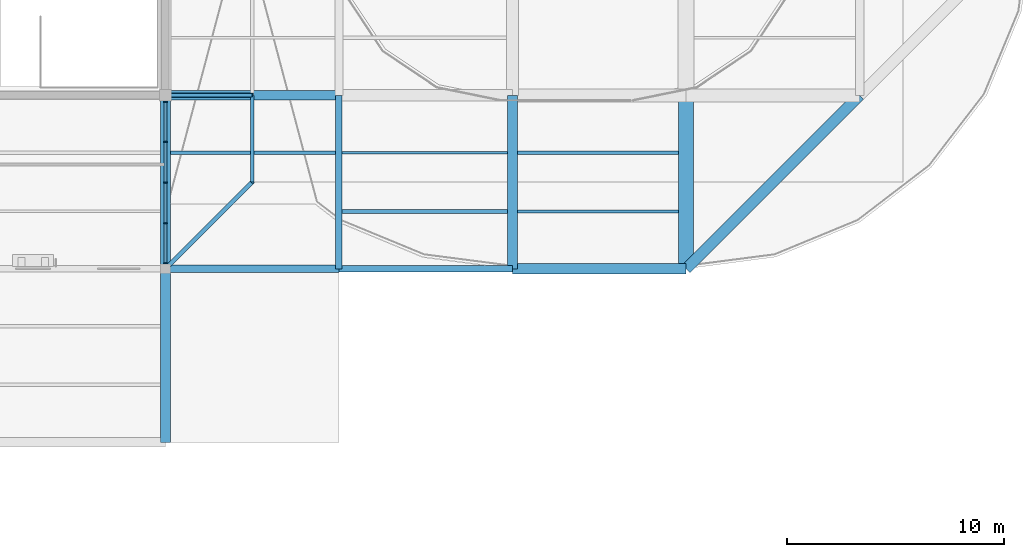
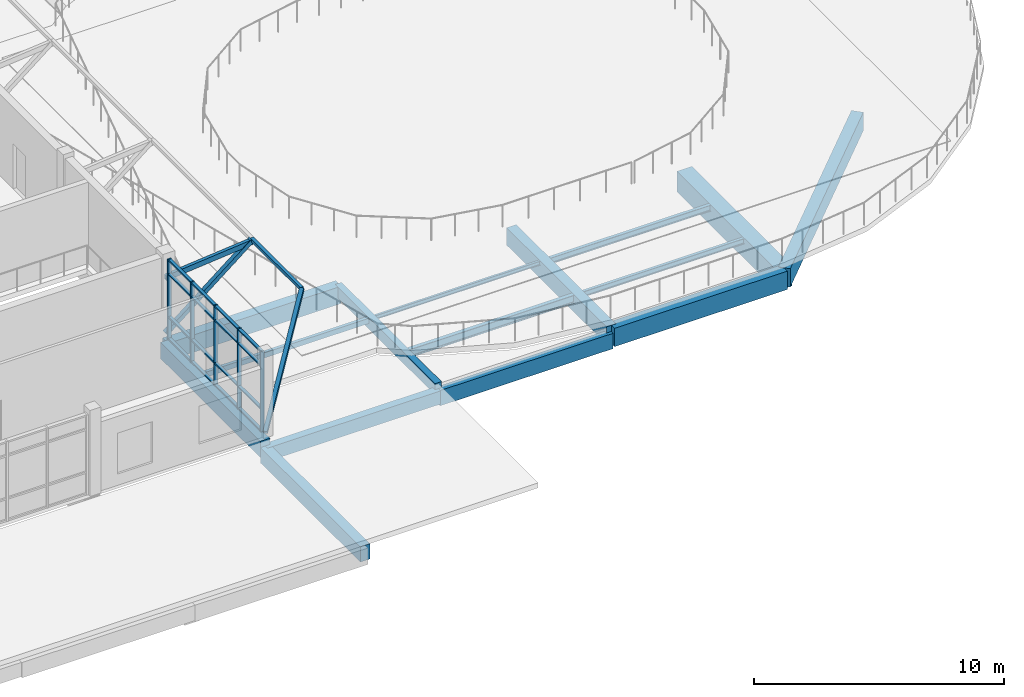
# One storey, part 14 of 44: 24 members, 16 beams, 1 element without a shape of its own.
"""IFC4 building model written with IfcOpenShell, lengths in metres."""

from ifc_helpers import new_model, si_unit, direction, frame, origin, origin_2d, place, context, subcontext, project, spatial, rectangle, hollow_rectangle, i_section, extrude, material, material_profile, profile_set, type_object, element, aggregate, save


model = new_model("IFC4")

# Units and contexts
model_context = context("Model", 3, precision=1e-05, world=origin(), true_north=direction((0.0, 1.0)))
body_context = subcontext(model_context, "Body", "Model", "MODEL_VIEW")
ifc_project = project(units=[si_unit("LENGTHUNIT", "METRE"), si_unit("AREAUNIT", "SQUARE_METRE"), si_unit("VOLUMEUNIT", "CUBIC_METRE"), si_unit("PLANEANGLEUNIT", "RADIAN"), si_unit("MASSUNIT", "GRAM", prefix="KILO")], contexts=[model_context])

# Site, building, storey
site_placement = place(None, origin())
site = spatial("IfcSite", under=ifc_project, at=site_placement, CompositionType="ELEMENT")
building_placement = place(site_placement, origin())
building = spatial("IfcBuilding", under=site, at=building_placement, Name="Tenunan Teduh Sports Hall", CompositionType="ELEMENT")
storey_placement = place(building_placement, frame((0.0, 0.0, 19.199951171875)))
storey = spatial("IfcBuildingStorey", under=building, at=storey_placement, Name="L04", CompositionType="ELEMENT", Elevation=19.199951171875)

# Beams
ifc_material_1 = material(Name="Concrete C40/50", Category="concrete")
ifc_material_profile_1 = material_profile(ifc_material_1, rectangle(XDim=0.300048828125, YDim=0.550048828125, at=origin_2d()), Name="RCB 300x550")
ifc_profile_set_1 = profile_set([ifc_material_profile_1], Name="Concrete C40/50")
beam_type_1 = type_object("IfcBeamType", Name="BM-RC-300x550", PredefinedType="BEAM", material=ifc_profile_set_1)
beam_1_placement = place(storey_placement, frame((46.0, 86.0, -0.544921875), z_axis=(0.0, 1.0, 0.0), x_axis=(-1.0, 0.0, 0.0)))
element("IfcBeam", 1, at=beam_1_placement, inside=storey, type_object=beam_type_1, Name="BM-B-02-L04-2092", PredefinedType="BEAM", context=body_context, shape_type="SweptSolid", body=[
    extrude(rectangle(XDim=0.300048828125, YDim=0.550048828125, at=origin_2d()), origin(), (0.0, 0.0, 1.0), 8.0),
])
ifc_material_2 = material(Name="Concrete C40/50", Category="concrete")
ifc_material_profile_2 = material_profile(ifc_material_2, rectangle(XDim=0.35009765625, YDim=0.64990234375, at=origin_2d()), Name="RCB 350x650")
ifc_profile_set_2 = profile_set([ifc_material_profile_2], Name="Concrete C40/50")
beam_type_2 = type_object("IfcBeamType", Name="BM-RC-350x650", PredefinedType="BEAM", material=ifc_profile_set_2)
beam_2_placement = place(storey_placement, frame((38.0, 86.0, -0.89501953125), z_axis=(1.0, 0.0, 0.0), x_axis=(0.0, 1.0, 0.0)))
element("IfcBeam", 2, at=beam_2_placement, inside=storey, type_object=beam_type_2, Name="BM-B-05-L04-2030", PredefinedType="BEAM", context=body_context, shape_type="SweptSolid", body=[
    extrude(rectangle(XDim=0.35009765625, YDim=0.64990234375, at=origin_2d()), origin(), (0.0, 0.0, 1.0), 8.0),
])
ifc_material_3 = material(Name="Concrete C40/50", Category="concrete")
ifc_material_profile_3 = material_profile(ifc_material_3, rectangle(XDim=0.449951171875, YDim=0.75, at=origin_2d()), Name="RCB 450x750")
ifc_profile_set_3 = profile_set([ifc_material_profile_3], Name="Concrete C40/50")
beam_type_3 = type_object("IfcBeamType", Name="BM-RC-450x750", PredefinedType="BEAM", material=ifc_profile_set_3)
beam_3_placement = place(storey_placement, frame((38.0, 78.0, -0.945068359375), z_axis=(0.0, 1.0, 0.0), x_axis=(-1.0, 0.0, 0.0)))
element("IfcBeam", 3, at=beam_3_placement, inside=storey, type_object=beam_type_3, Name="BM-B-11-L04-2087", PredefinedType="BEAM", context=body_context, shape_type="SweptSolid", body=[
    extrude(rectangle(XDim=0.449951171875, YDim=0.75, at=origin_2d()), origin(), (0.0, 0.0, 1.0), 8.0),
])
ifc_material_4 = material(Name="Concrete C40/50", Category="concrete")
ifc_material_profile_4 = material_profile(ifc_material_4, rectangle(XDim=0.449951171875, YDim=0.800048828125, at=origin_2d()), Name="RCB 450x800")
ifc_profile_set_4 = profile_set([ifc_material_profile_4], Name="Concrete C40/50")
beam_type_4 = type_object("IfcBeamType", Name="BM-RC-450x800", PredefinedType="BEAM", material=ifc_profile_set_4)
beam_4_placement = place(storey_placement, frame((38.0, 86.0, -0.669921875), z_axis=(0.0, 1.0, 0.0), x_axis=(-1.0, 0.0, 0.0)))
element("IfcBeam", 4, at=beam_4_placement, inside=storey, type_object=beam_type_4, Name="BM-B-12-L04-2088", PredefinedType="BEAM", context=body_context, shape_type="SweptSolid", body=[
    extrude(rectangle(XDim=0.449951171875, YDim=0.800048828125, at=origin_2d()), origin(), (0.0, 0.0, 1.0), 8.0),
])
ifc_material_5 = material(Name="Concrete C40/50", Category="concrete")
ifc_material_profile_5 = material_profile(ifc_material_5, rectangle(XDim=0.449951171875, YDim=0.85009765625, at=origin_2d()), Name="RCB 450x850")
ifc_profile_set_5 = profile_set([ifc_material_profile_5], Name="Concrete C40/50")
beam_type_5 = type_object("IfcBeamType", Name="BM-RC-450x850", PredefinedType="BEAM", material=ifc_profile_set_5)
for number, where, z_axis, x_axis, name in (
    (5, (38.0, 94.0, -0.695068359375), (1.0, 0.0, 0.0), (0.0, 1.0, 0.0), "BM-B-13-L04-2037"),
    (6, (54.0, 86.0, -0.695068359375), (0.0, 1.0, 0.0), (-1.0, 0.0, 0.0), "BM-B-13-L04-2100"),
):
    element("IfcBeam", number, at=place(storey_placement, frame(where, z_axis=z_axis, x_axis=x_axis)), inside=storey, type_object=beam_type_5, Name=name, PredefinedType="BEAM", context=body_context, shape_type="SweptSolid", body=[
        extrude(rectangle(XDim=0.449951171875, YDim=0.85009765625, at=origin_2d()), origin(), (0.0, 0.0, 1.0), 8.0),
    ])
ifc_material_6 = material(Name="Concrete C40/50", Category="concrete")
ifc_material_profile_6 = material_profile(ifc_material_6, rectangle(XDim=0.5, YDim=0.89990234375, at=origin_2d()), Name="RCB 500x900")
ifc_profile_set_6 = profile_set([ifc_material_profile_6], Name="Concrete C40/50")
beam_type_6 = type_object("IfcBeamType", Name="BM-RC-500x900", PredefinedType="BEAM", material=ifc_profile_set_6)
beam_5_placement = place(storey_placement, frame((62.0, 86.0, -0.7099609375), z_axis=(0.707106781187, 0.707106781187, 0.0), x_axis=(-0.707106781187, 0.707106781187, 0.0)))
element("IfcBeam", 7, at=beam_5_placement, inside=storey, type_object=beam_type_6, Name="BM-B-15-L04-0606", PredefinedType="BEAM", context=body_context, shape_type="SweptSolid", body=[
    extrude(rectangle(XDim=0.5, YDim=0.89990234375, at=origin_2d()), origin(), (0.0, 0.0, 1.0), 11.313720703125),
])
beam_6_placement = place(storey_placement, frame((54.0, 86.0, -0.719970703125), z_axis=(1.0, 0.0, 0.0), x_axis=(0.0, 1.0, 0.0)))
element("IfcBeam", 8, at=beam_6_placement, inside=storey, type_object=beam_type_6, Name="BM-B-15-L04-2032", PredefinedType="BEAM", context=body_context, shape_type="SweptSolid", body=[
    extrude(rectangle(XDim=0.5, YDim=0.89990234375, at=origin_2d()), origin(), (0.0, 0.0, 1.0), 8.0),
])
ifc_material_7 = material(Name="Concrete C40/50", Category="concrete")
ifc_material_profile_7 = material_profile(ifc_material_7, rectangle(XDim=0.699951171875, YDim=1.0, at=origin_2d()), Name="RCB 700x1000")
ifc_profile_set_7 = profile_set([ifc_material_profile_7], Name="Concrete C40/50")
beam_type_7 = type_object("IfcBeamType", Name="BM-RC-700x1000", PredefinedType="SPANDREL", material=ifc_profile_set_7)
beam_7_placement = place(storey_placement, frame((62.0, 86.0, -0.77001953125), z_axis=(0.0, 1.0, 0.0), x_axis=(-1.0, 0.0, 0.0)))
element("IfcBeam", 9, at=beam_7_placement, inside=storey, type_object=beam_type_7, Name="BM-B-19-L04-2104", PredefinedType="SPANDREL", context=body_context, shape_type="SweptSolid", body=[
    extrude(rectangle(XDim=0.699951171875, YDim=1.0, at=origin_2d()), origin(), (0.0, 0.0, 1.0), 8.0),
])
ifc_material_8 = material(Name="Concrete C40/50", Category="concrete")
ifc_material_profile_8 = material_profile(ifc_material_8, rectangle(XDim=0.300048828125, YDim=0.75, at=origin_2d()), Name="SPB 300x750")
ifc_profile_set_8 = profile_set([ifc_material_profile_8], Name="Concrete C40/50")
beam_type_8 = type_object("IfcBeamType", Name="BM-SP-300x750", PredefinedType="SPANDREL", material=ifc_profile_set_8)
beam_8_placement = place(storey_placement, frame((46.0, 86.0, -0.945068359375), z_axis=(1.0, 0.0, 0.0), x_axis=(0.0, 1.0, 0.0)))
element("IfcBeam", 10, at=beam_8_placement, inside=storey, type_object=beam_type_8, Name="BM-SP-01-L04-2031", PredefinedType="SPANDREL", context=body_context, shape_type="SweptSolid", body=[
    extrude(rectangle(XDim=0.300048828125, YDim=0.75, at=origin_2d()), origin(), (0.0, 0.0, 1.0), 8.0),
])

# Curtain wall, members
ifc_material_9 = material(Name="Anodised aluminium", Category="aluminium")
curtain_wall_type = type_object("IfcCurtainWallType", Name="CW-UNIT-2", PredefinedType="NOTDEFINED", material=ifc_material_9)
curtain_wall_placement = place(storey_placement, origin())
curtain_wall = element("IfcCurtainWall", 11, at=curtain_wall_placement, inside=storey, type_object=curtain_wall_type, Name="CW-CWM-175-L04-230", PredefinedType="NOTDEFINED")
ifc_material_10 = material(Name="Anodised aluminium", Category="aluminium")
ifc_material_profile_9 = material_profile(ifc_material_10, rectangle(XDim=0.06494140625, YDim=0.175048828125, at=origin_2d()), Name="CWM 65x175")
ifc_profile_set_9 = profile_set([ifc_material_profile_9], Name="Anodised aluminium")
member_type_1 = type_object("IfcMemberType", Name="CWM-175", PredefinedType="MULLION", material=ifc_profile_set_9)
member_1_placement = place(storey_placement, frame((38.0, 86.257568359375, 0.0), z_axis=(0.0, 0.0, 1.0), x_axis=(0.0, 1.0, 0.0)))
member_1 = element("IfcMember", 12, at=member_1_placement, type_object=member_type_1, Name="CW-02 mullion 1", PredefinedType="MULLION", context=body_context, shape_type="SweptSolid", body=[
    extrude(rectangle(XDim=0.06494140625, YDim=0.175048828125, at=origin_2d()), origin(), (0.0, 0.0, 1.0), 3.920166015625),
])
member_2_placement = place(storey_placement, frame((38.0, 88.10009765625, 0.0), z_axis=(0.0, 0.0, 1.0), x_axis=(0.0, 1.0, 0.0)))
member_2 = element("IfcMember", 13, at=member_2_placement, type_object=member_type_1, Name="CW-02 mullion 2", PredefinedType="MULLION", context=body_context, shape_type="SweptSolid", body=[
    extrude(rectangle(XDim=0.06494140625, YDim=0.175048828125, at=origin_2d()), origin(), (0.0, 0.0, 1.0), 3.920166015625),
])
member_3_placement = place(storey_placement, frame((38.0, 89.97509765625, 0.0), z_axis=(0.0, 0.0, 1.0), x_axis=(0.0, 1.0, 0.0)))
member_3 = element("IfcMember", 14, at=member_3_placement, type_object=member_type_1, Name="CW-02 mullion 3", PredefinedType="MULLION", context=body_context, shape_type="SweptSolid", body=[
    extrude(rectangle(XDim=0.06494140625, YDim=0.175048828125, at=origin_2d()), origin(), (0.0, 0.0, 1.0), 3.920166015625),
])
member_4_placement = place(storey_placement, frame((38.0, 91.85009765625, 0.0), z_axis=(0.0, 0.0, 1.0), x_axis=(0.0, 1.0, 0.0)))
member_4 = element("IfcMember", 15, at=member_4_placement, type_object=member_type_1, Name="CW-02 mullion 4", PredefinedType="MULLION", context=body_context, shape_type="SweptSolid", body=[
    extrude(rectangle(XDim=0.06494140625, YDim=0.175048828125, at=origin_2d()), origin(), (0.0, 0.0, 1.0), 3.920166015625),
])
member_5_placement = place(storey_placement, frame((38.0, 93.6923828125, 0.0), z_axis=(0.0, 0.0, 1.0), x_axis=(0.0, 1.0, 0.0)))
member_5 = element("IfcMember", 16, at=member_5_placement, type_object=member_type_1, Name="CW-02 mullion 5", PredefinedType="MULLION", context=body_context, shape_type="SweptSolid", body=[
    extrude(rectangle(XDim=0.06494140625, YDim=0.175048828125, at=origin_2d()), origin(), (0.0, 0.0, 1.0), 3.920166015625),
])
ifc_material_11 = material(Name="Anodised aluminium", Category="aluminium")
ifc_material_profile_10 = material_profile(ifc_material_11, rectangle(XDim=0.06494140625, YDim=0.139892578125, at=origin_2d()), Name="CWT 65x140")
ifc_profile_set_10 = profile_set([ifc_material_profile_10], Name="Anodised aluminium")
member_type_2 = type_object("IfcMemberType", Name="CWT-150", PredefinedType="USERDEFINED", material=ifc_profile_set_10)
member_6_placement = place(storey_placement, frame((38.0, 86.2900390625, 0.032470703125), z_axis=(0.0, 1.0, 0.0), x_axis=(0.0, 0.0, 1.0)))
member_6 = element("IfcMember", 17, at=member_6_placement, type_object=member_type_2, Name="CW-02 transom 1.1", ObjectType="TRANSOM", PredefinedType="USERDEFINED", context=body_context, shape_type="SweptSolid", body=[
    extrude(rectangle(XDim=0.06494140625, YDim=0.139892578125, at=origin_2d()), origin(), (0.0, 0.0, 1.0), 1.77734375),
])
member_7_placement = place(storey_placement, frame((38.0, 86.2900390625, 1.10009765625), z_axis=(0.0, 1.0, 0.0), x_axis=(0.0, 0.0, 1.0)))
member_7 = element("IfcMember", 18, at=member_7_placement, type_object=member_type_2, Name="CW-02 transom 1.2", ObjectType="TRANSOM", PredefinedType="USERDEFINED", context=body_context, shape_type="SweptSolid", body=[
    extrude(rectangle(XDim=0.06494140625, YDim=0.139892578125, at=origin_2d()), origin(), (0.0, 0.0, 1.0), 1.77734375),
])
member_8_placement = place(storey_placement, frame((38.0, 86.2900390625, 3.199951171875), z_axis=(0.0, 1.0, 0.0), x_axis=(0.0, 0.0, 1.0)))
member_8 = element("IfcMember", 19, at=member_8_placement, type_object=member_type_2, Name="CW-02 transom 1.3", ObjectType="TRANSOM", PredefinedType="USERDEFINED", context=body_context, shape_type="SweptSolid", body=[
    extrude(rectangle(XDim=0.06494140625, YDim=0.139892578125, at=origin_2d()), origin(), (0.0, 0.0, 1.0), 1.77734375),
])
member_9_placement = place(storey_placement, frame((38.0, 86.2900390625, 3.887451171875), z_axis=(0.0, 1.0, 0.0), x_axis=(0.0, 0.0, 1.0)))
member_9 = element("IfcMember", 20, at=member_9_placement, type_object=member_type_2, Name="CW-02 transom 1.4", ObjectType="TRANSOM", PredefinedType="USERDEFINED", context=body_context, shape_type="SweptSolid", body=[
    extrude(rectangle(XDim=0.06494140625, YDim=0.139892578125, at=origin_2d()), origin(), (0.0, 0.0, 1.0), 1.77734375),
])
member_10_placement = place(storey_placement, frame((38.0, 88.132568359375, 0.032470703125), z_axis=(0.0, 1.0, 0.0), x_axis=(0.0, 0.0, 1.0)))
member_10 = element("IfcMember", 21, at=member_10_placement, type_object=member_type_2, Name="CW-02 transom 2.1", ObjectType="TRANSOM", PredefinedType="USERDEFINED", context=body_context, shape_type="SweptSolid", body=[
    extrude(rectangle(XDim=0.06494140625, YDim=0.139892578125, at=origin_2d()), origin(), (0.0, 0.0, 1.0), 1.809814453125),
])
member_11_placement = place(storey_placement, frame((38.0, 88.132568359375, 1.10009765625), z_axis=(0.0, 1.0, 0.0), x_axis=(0.0, 0.0, 1.0)))
member_11 = element("IfcMember", 22, at=member_11_placement, type_object=member_type_2, Name="CW-02 transom 2.2", ObjectType="TRANSOM", PredefinedType="USERDEFINED", context=body_context, shape_type="SweptSolid", body=[
    extrude(rectangle(XDim=0.06494140625, YDim=0.139892578125, at=origin_2d()), origin(), (0.0, 0.0, 1.0), 1.809814453125),
])
member_12_placement = place(storey_placement, frame((38.0, 88.132568359375, 3.199951171875), z_axis=(0.0, 1.0, 0.0), x_axis=(0.0, 0.0, 1.0)))
member_12 = element("IfcMember", 23, at=member_12_placement, type_object=member_type_2, Name="CW-02 transom 2.3", ObjectType="TRANSOM", PredefinedType="USERDEFINED", context=body_context, shape_type="SweptSolid", body=[
    extrude(rectangle(XDim=0.06494140625, YDim=0.139892578125, at=origin_2d()), origin(), (0.0, 0.0, 1.0), 1.809814453125),
])
member_13_placement = place(storey_placement, frame((38.0, 88.132568359375, 3.887451171875), z_axis=(0.0, 1.0, 0.0), x_axis=(0.0, 0.0, 1.0)))
member_13 = element("IfcMember", 24, at=member_13_placement, type_object=member_type_2, Name="CW-02 transom 2.4", ObjectType="TRANSOM", PredefinedType="USERDEFINED", context=body_context, shape_type="SweptSolid", body=[
    extrude(rectangle(XDim=0.06494140625, YDim=0.139892578125, at=origin_2d()), origin(), (0.0, 0.0, 1.0), 1.809814453125),
])
member_14_placement = place(storey_placement, frame((38.0, 90.007568359375, 0.032470703125), z_axis=(0.0, 1.0, 0.0), x_axis=(0.0, 0.0, 1.0)))
member_14 = element("IfcMember", 25, at=member_14_placement, type_object=member_type_2, Name="CW-02 transom 3.1", ObjectType="TRANSOM", PredefinedType="USERDEFINED", context=body_context, shape_type="SweptSolid", body=[
    extrude(rectangle(XDim=0.06494140625, YDim=0.139892578125, at=origin_2d()), origin(), (0.0, 0.0, 1.0), 1.809814453125),
])
member_15_placement = place(storey_placement, frame((38.0, 90.007568359375, 1.10009765625), z_axis=(0.0, 1.0, 0.0), x_axis=(0.0, 0.0, 1.0)))
member_15 = element("IfcMember", 26, at=member_15_placement, type_object=member_type_2, Name="CW-02 transom 3.2", ObjectType="TRANSOM", PredefinedType="USERDEFINED", context=body_context, shape_type="SweptSolid", body=[
    extrude(rectangle(XDim=0.06494140625, YDim=0.139892578125, at=origin_2d()), origin(), (0.0, 0.0, 1.0), 1.809814453125),
])
member_16_placement = place(storey_placement, frame((38.0, 90.007568359375, 3.199951171875), z_axis=(0.0, 1.0, 0.0), x_axis=(0.0, 0.0, 1.0)))
member_16 = element("IfcMember", 27, at=member_16_placement, type_object=member_type_2, Name="CW-02 transom 3.3", ObjectType="TRANSOM", PredefinedType="USERDEFINED", context=body_context, shape_type="SweptSolid", body=[
    extrude(rectangle(XDim=0.06494140625, YDim=0.139892578125, at=origin_2d()), origin(), (0.0, 0.0, 1.0), 1.809814453125),
])
member_17_placement = place(storey_placement, frame((38.0, 90.007568359375, 3.887451171875), z_axis=(0.0, 1.0, 0.0), x_axis=(0.0, 0.0, 1.0)))
member_17 = element("IfcMember", 28, at=member_17_placement, type_object=member_type_2, Name="CW-02 transom 3.4", ObjectType="TRANSOM", PredefinedType="USERDEFINED", context=body_context, shape_type="SweptSolid", body=[
    extrude(rectangle(XDim=0.06494140625, YDim=0.139892578125, at=origin_2d()), origin(), (0.0, 0.0, 1.0), 1.809814453125),
])
member_18_placement = place(storey_placement, frame((38.0, 91.882568359375, 0.032470703125), z_axis=(0.0, 1.0, 0.0), x_axis=(0.0, 0.0, 1.0)))
member_18 = element("IfcMember", 29, at=member_18_placement, type_object=member_type_2, Name="CW-02 transom 4.1", ObjectType="TRANSOM", PredefinedType="USERDEFINED", context=body_context, shape_type="SweptSolid", body=[
    extrude(rectangle(XDim=0.06494140625, YDim=0.139892578125, at=origin_2d()), origin(), (0.0, 0.0, 1.0), 1.77734375),
])
member_19_placement = place(storey_placement, frame((38.0, 91.882568359375, 1.10009765625), z_axis=(0.0, 1.0, 0.0), x_axis=(0.0, 0.0, 1.0)))
member_19 = element("IfcMember", 30, at=member_19_placement, type_object=member_type_2, Name="CW-02 transom 4.2", ObjectType="TRANSOM", PredefinedType="USERDEFINED", context=body_context, shape_type="SweptSolid", body=[
    extrude(rectangle(XDim=0.06494140625, YDim=0.139892578125, at=origin_2d()), origin(), (0.0, 0.0, 1.0), 1.77734375),
])
member_20_placement = place(storey_placement, frame((38.0, 91.882568359375, 3.199951171875), z_axis=(0.0, 1.0, 0.0), x_axis=(0.0, 0.0, 1.0)))
member_20 = element("IfcMember", 31, at=member_20_placement, type_object=member_type_2, Name="CW-02 transom 4.3", ObjectType="TRANSOM", PredefinedType="USERDEFINED", context=body_context, shape_type="SweptSolid", body=[
    extrude(rectangle(XDim=0.06494140625, YDim=0.139892578125, at=origin_2d()), origin(), (0.0, 0.0, 1.0), 1.77734375),
])
member_21_placement = place(storey_placement, frame((38.0, 91.882568359375, 3.887451171875), z_axis=(0.0, 1.0, 0.0), x_axis=(0.0, 0.0, 1.0)))
member_21 = element("IfcMember", 32, at=member_21_placement, type_object=member_type_2, Name="CW-02 transom 4.4", ObjectType="TRANSOM", PredefinedType="USERDEFINED", context=body_context, shape_type="SweptSolid", body=[
    extrude(rectangle(XDim=0.06494140625, YDim=0.139892578125, at=origin_2d()), origin(), (0.0, 0.0, 1.0), 1.77734375),
])
aggregate(curtain_wall, [member_1, member_2, member_3, member_4, member_5, member_6, member_7, member_8, member_9, member_10, member_11, member_12, member_13, member_14, member_15, member_16, member_17, member_18, member_19, member_20, member_21])

# Beams
ifc_material_12 = material(Name="Steel S355", Category="steel")
ifc_material_profile_11 = material_profile(ifc_material_12, i_section(OverallWidth=0.10009765625, OverallDepth=0.199951171875, WebThickness=0.005615234375, FlangeThickness=0.008544921875, FilletRadius=0.011962890625, at=origin_2d()), Name="IPE 200")
ifc_profile_set_11 = profile_set([ifc_material_profile_11], Name="Steel S355")
beam_type_9 = type_object("IfcBeamType", Name="JST-IPE200", PredefinedType="JOIST", material=ifc_profile_set_11)
beam_9_placement = place(storey_placement, frame((46.14990234375, 91.35009765625, -0.369873046875), z_axis=(1.0, 0.0, 0.0), x_axis=(0.0, 1.0, 0.0)))
element("IfcBeam", 33, at=beam_9_placement, inside=storey, type_object=beam_type_9, Name="BM-J-01-L04-2147", PredefinedType="JOIST", context=body_context, shape_type="SweptSolid", body=[
    extrude(i_section(OverallWidth=0.10009765625, OverallDepth=0.199951171875, WebThickness=0.005615234375, FlangeThickness=0.008544921875, FilletRadius=0.011962890625, at=origin_2d()), origin(), (0.0, 0.0, 1.0), 7.625),
])
ifc_material_13 = material(Name="Steel S355", Category="steel")
ifc_material_profile_12 = material_profile(ifc_material_13, i_section(OverallWidth=0.135009765625, OverallDepth=0.27001953125, WebThickness=0.006591796875, FlangeThickness=0.01025390625, FilletRadius=0.014892578125, at=origin_2d()), Name="IPE 270")
ifc_profile_set_12 = profile_set([ifc_material_profile_12], Name="Steel S355")
beam_type_10 = type_object("IfcBeamType", Name="JST-IPE270", PredefinedType="JOIST", material=ifc_profile_set_12)
beam_10_placement = place(storey_placement, frame((54.22509765625, 88.64990234375, -0.405029296875), z_axis=(1.0, 0.0, 0.0), x_axis=(0.0, 1.0, 0.0)))
element("IfcBeam", 34, at=beam_10_placement, inside=storey, type_object=beam_type_10, Name="BM-J-03-L04-2154", PredefinedType="JOIST", context=body_context, shape_type="SweptSolid", body=[
    extrude(i_section(OverallWidth=0.135009765625, OverallDepth=0.27001953125, WebThickness=0.006591796875, FlangeThickness=0.01025390625, FilletRadius=0.014892578125, at=origin_2d()), origin(), (0.0, 0.0, 1.0), 7.4248046875),
])
ifc_material_14 = material(Name="Steel S355", Category="steel")
ifc_material_profile_13 = material_profile(ifc_material_14, i_section(OverallWidth=0.14990234375, OverallDepth=0.300048828125, WebThickness=0.007080078125, FlangeThickness=0.0107421875, FilletRadius=0.014892578125, at=origin_2d()), Name="IPE 300")
ifc_profile_set_13 = profile_set([ifc_material_profile_13], Name="Steel S355")
beam_type_11 = type_object("IfcBeamType", Name="JST-IPE300", PredefinedType="JOIST", material=ifc_profile_set_13)
beam_11_placement = place(storey_placement, frame((54.22509765625, 91.35009765625, -0.419921875), z_axis=(1.0, 0.0, 0.0), x_axis=(0.0, 1.0, 0.0)))
element("IfcBeam", 35, at=beam_11_placement, inside=storey, type_object=beam_type_11, Name="BM-J-04-L04-2155", PredefinedType="JOIST", context=body_context, shape_type="SweptSolid", body=[
    extrude(i_section(OverallWidth=0.14990234375, OverallDepth=0.300048828125, WebThickness=0.007080078125, FlangeThickness=0.0107421875, FilletRadius=0.014892578125, at=origin_2d()), origin(), (0.0, 0.0, 1.0), 7.4248046875),
])
ifc_material_15 = material(Name="Steel S355", Category="steel")
ifc_material_profile_14 = material_profile(ifc_material_15, i_section(OverallWidth=0.179931640625, OverallDepth=0.39990234375, WebThickness=0.008544921875, FlangeThickness=0.013427734375, FilletRadius=0.02099609375, at=origin_2d()), Name="IPE 400")
ifc_profile_set_14 = profile_set([ifc_material_profile_14], Name="Steel S355")
beam_type_12 = type_object("IfcBeamType", Name="JST-IPE400", PredefinedType="JOIST", material=ifc_profile_set_14)
beam_12_placement = place(storey_placement, frame((46.14990234375, 88.64990234375, -0.469970703125), z_axis=(1.0, 0.0, 0.0), x_axis=(0.0, 1.0, 0.0)))
element("IfcBeam", 36, at=beam_12_placement, inside=storey, type_object=beam_type_12, Name="BM-J-06-L04-2146", PredefinedType="JOIST", context=body_context, shape_type="SweptSolid", body=[
    extrude(i_section(OverallWidth=0.179931640625, OverallDepth=0.39990234375, WebThickness=0.008544921875, FlangeThickness=0.013427734375, FilletRadius=0.02099609375, at=origin_2d()), origin(), (0.0, 0.0, 1.0), 7.625),
])

# Members
ifc_material_16 = material(Name="Steel S355", Category="steel")
ifc_material_profile_15 = material_profile(ifc_material_16, hollow_rectangle(XDim=0.14990234375, YDim=0.14990234375, WallThickness=0.008056640625, at=origin_2d()), Name="SHS 150x150x8.0")
ifc_profile_set_15 = profile_set([ifc_material_profile_15], Name="Steel S355")
member_type_3 = type_object("IfcMemberType", Name="MEM-PR-SHS150", PredefinedType="PURLIN", material=ifc_profile_set_15)
member_22_placement = place(storey_placement, frame((42.0, 90.0, 3.300048828125), z_axis=(0.0, 1.0, 0.0), x_axis=(-1.0, 0.0, 0.0)))
element("IfcMember", 37, at=member_22_placement, inside=storey, type_object=member_type_3, Name="MEM-PR-01-L04-1038", PredefinedType="PURLIN", context=body_context, shape_type="SweptSolid", body=[
    extrude(hollow_rectangle(XDim=0.14990234375, YDim=0.14990234375, WallThickness=0.008056640625, at=origin_2d()), origin(), (0.0, 0.0, 1.0), 4.0),
])
ifc_material_17 = material(Name="Steel S355", Category="steel")
ifc_material_profile_16 = material_profile(ifc_material_17, hollow_rectangle(XDim=0.179931640625, YDim=0.179931640625, WallThickness=0.010009765625, at=origin_2d()), Name="SHS 180x180x10.0")
ifc_profile_set_16 = profile_set([ifc_material_profile_16], Name="Steel S355")
member_type_4 = type_object("IfcMemberType", Name="MEM-ST-SHS180", PredefinedType="STRUT", material=ifc_profile_set_16)
member_23_placement = place(storey_placement, frame((38.0, 86.0, 0.10009765625), z_axis=(0.615459731531, 0.615459731531, 0.492360272288), x_axis=(-0.707106781187, 0.707106781187, 0.0)))
element("IfcMember", 38, at=member_23_placement, inside=storey, type_object=member_type_4, Name="MEM-VS-03-L04-1042", PredefinedType="STRUT", context=body_context, shape_type="SweptSolid", body=[
    extrude(hollow_rectangle(XDim=0.179931640625, YDim=0.179931640625, WallThickness=0.010009765625, at=origin_2d()), origin(), (0.0, 0.0, 1.0), 6.499267578125),
])
ifc_material_18 = material(Name="Steel S355", Category="steel")
ifc_material_profile_17 = material_profile(ifc_material_18, hollow_rectangle(XDim=0.199951171875, YDim=0.199951171875, WallThickness=0.010009765625, at=origin_2d()), Name="SHS 200x200x10.0")
ifc_profile_set_17 = profile_set([ifc_material_profile_17], Name="Steel S355")
member_type_5 = type_object("IfcMemberType", Name="MEM-ST-SHS200", PredefinedType="STRUT", material=ifc_profile_set_17)
member_24_placement = place(storey_placement, frame((38.0, 94.0, 0.10009765625), z_axis=(0.780873459249, 0.0, 0.624689235253), x_axis=(0.0, 1.0, 0.0)))
element("IfcMember", 39, at=member_24_placement, inside=storey, type_object=member_type_5, Name="MEM-VS-02-L04-1035", PredefinedType="STRUT", context=body_context, shape_type="SweptSolid", body=[
    extrude(hollow_rectangle(XDim=0.199951171875, YDim=0.199951171875, WallThickness=0.010009765625, at=origin_2d()), origin(), (0.0, 0.0, 1.0), 5.12255859375),
])

# Beams
ifc_material_19 = material(Name="Steel S355", Category="steel")
ifc_material_profile_18 = material_profile(ifc_material_19, hollow_rectangle(XDim=0.14990234375, YDim=0.25, WallThickness=0.010009765625, at=origin_2d()), Name="RHS 250x150x10.0")
ifc_profile_set_18 = profile_set([ifc_material_profile_18], Name="Steel S355")
beam_type_13 = type_object("IfcBeamType", Name="RBM-RHS250", PredefinedType="BEAM", material=ifc_profile_set_18)
beam_13_placement = place(storey_placement, frame((38.0, 94.0, 2.820068359375), z_axis=(0.995520561602, 0.0, 0.094545287711), x_axis=(0.0, 1.0, 0.0)))
element("IfcBeam", 40, at=beam_13_placement, inside=storey, type_object=beam_type_13, Name="Perimeter Ring Beam BM-RB-04-L04-0584", PredefinedType="BEAM", context=body_context, shape_type="SweptSolid", body=[
    extrude(hollow_rectangle(XDim=0.14990234375, YDim=0.25, WallThickness=0.010009765625, at=origin_2d()), origin(), (0.0, 0.0, 1.0), 4.01806640625),
])
beam_14_placement = place(storey_placement, frame((38.22509765625, 91.35009765625, -0.39501953125), z_axis=(1.0, 0.0, 0.0), x_axis=(0.0, 1.0, 0.0)))
element("IfcBeam", 41, at=beam_14_placement, inside=storey, type_object=beam_type_13, Name="Perimeter Ring Beam BM-RB-04-L04-2140", PredefinedType="BEAM", context=body_context, shape_type="SweptSolid", body=[
    extrude(hollow_rectangle(XDim=0.14990234375, YDim=0.25, WallThickness=0.010009765625, at=origin_2d()), origin(), (0.0, 0.0, 1.0), 7.625),
])

save(model, "model.ifc")
